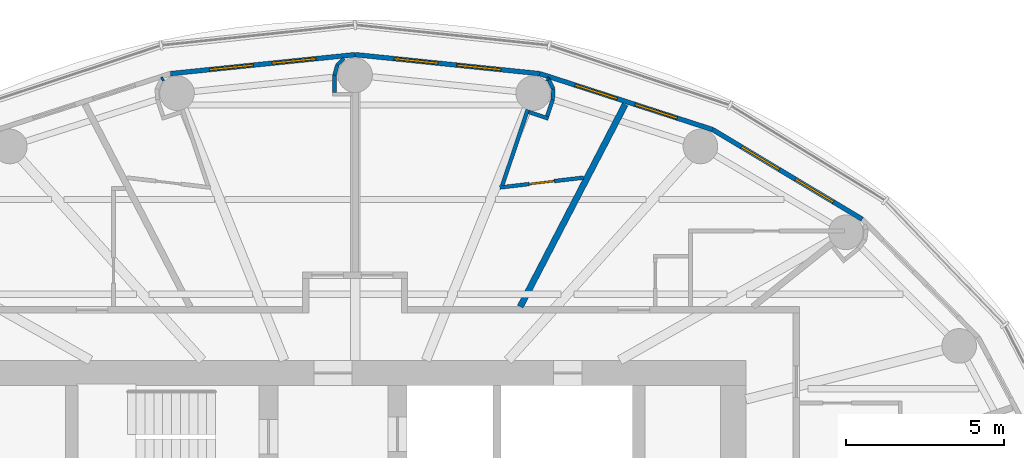
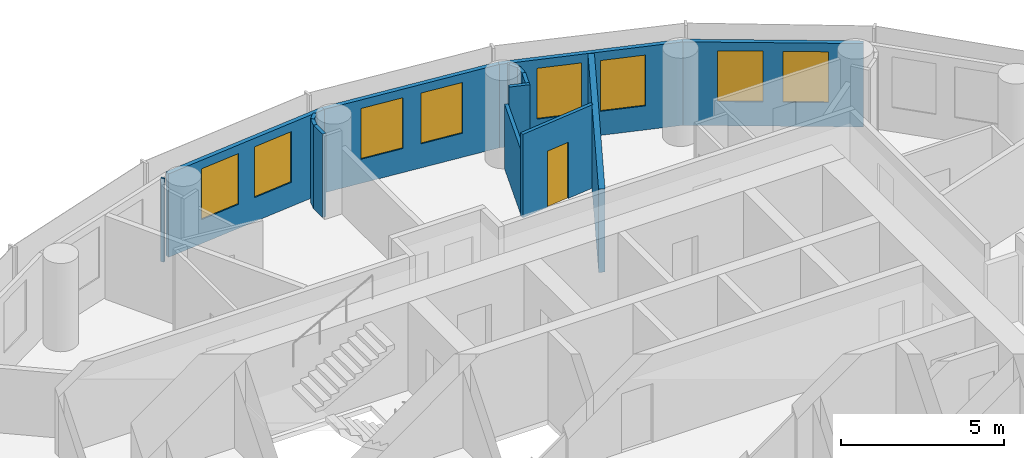
# One storey, part 13 of 16: 16 walls, 8 windows, 1 door, 9 openings.
"""IFC4 building model written with IfcOpenShell, lengths in metres."""

from ifc_helpers import new_model, si_unit, direction, frame, frame_2d, origin, place, context, subcontext, project, spatial, rectangle, extrude, material, layer, layer_set, type_object, element, fill, save


model = new_model("IFC4")

# Units and contexts
model_context = context("Model", 3, precision=1e-05, world=origin(), true_north=direction((0.0, 1.0)))
body_context = subcontext(model_context, "Body", "Model", "MODEL_VIEW")
ifc_project = project(units=[si_unit("LENGTHUNIT", "METRE"), si_unit("AREAUNIT", "SQUARE_METRE"), si_unit("VOLUMEUNIT", "CUBIC_METRE"), si_unit("PLANEANGLEUNIT", "RADIAN"), si_unit("MASSUNIT", "GRAM", prefix="KILO")], contexts=[model_context])

# Site, building, storey
site_placement = place(None, origin())
site = spatial("IfcSite", under=ifc_project, at=site_placement, CompositionType="ELEMENT")
building_placement = place(site_placement, origin())
building = spatial("IfcBuilding", under=site, at=building_placement, Name="Hankou Lantern Tower", CompositionType="ELEMENT")
storey_placement = place(building_placement, frame((0.0, 0.0, 150.0)))
storey = spatial("IfcBuildingStorey", under=building, at=storey_placement, Name="L39", CompositionType="ELEMENT", Elevation=150.0)

# Wall, openings, windows
ifc_material_1 = material(Name="Aluminium spandrel panel on steel studs", Category="steel")
ifc_layer_1 = layer(ifc_material_1, 0.14990234375)
ifc_layer_set_1 = layer_set([ifc_layer_1], Name="Aluminium spandrel panel on steel studs")
wall_type_1 = type_object("IfcWallType", Name="EW1 INNER SKIN WALL 150", PredefinedType="ELEMENTEDWALL", material=ifc_layer_set_1)
wall_1_placement = place(storey_placement, frame((16.0947265625, 12.875732421875, 0.0), z_axis=(0.0, 0.0, 1.0), x_axis=(-0.857695199231, 0.514158482587, 0.0)))
wall_1 = element("IfcWall", 1, at=wall_1_placement, inside=storey, type_object=wall_type_1, Name="Inner skin R04-R05 L39", PredefinedType="ELEMENTEDWALL", context=body_context, shape_type="SweptSolid", body=[
    extrude(rectangle(XDim=5.5361328125, YDim=0.14990234375, at=frame_2d((2.76806640625, 0.0))), origin(), (0.0, 0.0, 1.0), 3.1201171875),
])
opening_1_placement = place(wall_1_placement, frame((1.068115234375, 0.0, 0.89990234375)))
opening_1 = element("IfcOpeningElement", 2, at=opening_1_placement, cuts=wall_1, Name="Opening W3", PredefinedType="OPENING", context=body_context, shape_type="SweptSolid", body=[
    extrude(rectangle(XDim=1.39990234375, YDim=1.89990234375, at=frame_2d((0.699951171875, 0.949951171875))), frame((0.0, 0.0849609375, 0.0), z_axis=(0.0, -1.0, 0.0), x_axis=(1.0, 0.0, 0.0)), (0.0, 0.0, 1.0), 0.169921875),
])
opening_2_placement = place(wall_1_placement, frame((3.068115234375, 0.0, 0.89990234375)))
opening_2 = element("IfcOpeningElement", 3, at=opening_2_placement, cuts=wall_1, Name="Opening W3", PredefinedType="OPENING", context=body_context, shape_type="SweptSolid", body=[
    extrude(rectangle(XDim=1.39990234375, YDim=1.89990234375, at=frame_2d((0.699951171875, 0.949951171875))), frame((0.0, 0.0849609375, 0.0), z_axis=(0.0, -1.0, 0.0), x_axis=(1.0, 0.0, 0.0)), (0.0, 0.0, 1.0), 0.169921875),
])
ifc_material_2 = material(Name="Aluminium framed double glazed window", Category="aluminium")
window_type = type_object("IfcWindowType", Name="W3 GUEST ROOM WINDOW 1400X1900", PartitioningType="DOUBLE_PANEL_VERTICAL", PredefinedType="WINDOW", material=ifc_material_2)
window_1_placement = place(opening_1_placement, origin())
window_1 = element("IfcWindow", 4, at=window_1_placement, inside=storey, type_object=window_type, Name="Window R04.1 L39", OverallHeight=1.89990234375, OverallWidth=1.39990234375, PartitioningType="SINGLE_PANEL", PredefinedType="WINDOW", context=body_context, shape_type="SweptSolid", body=[
    extrude(rectangle(XDim=1.39990234375, YDim=1.89990234375, at=frame_2d((0.699951171875, 0.949951171875))), frame((0.0, 0.030029296875, 0.0), z_axis=(0.0, -1.0, 0.0), x_axis=(1.0, 0.0, 0.0)), (0.0, 0.0, 1.0), 0.06005859375),
])
fill(opening_1, window_1)
window_2_placement = place(opening_2_placement, origin())
window_2 = element("IfcWindow", 5, at=window_2_placement, inside=storey, type_object=window_type, Name="Window R04.2 L39", OverallHeight=1.89990234375, OverallWidth=1.39990234375, PartitioningType="SINGLE_PANEL", PredefinedType="WINDOW", context=body_context, shape_type="SweptSolid", body=[
    extrude(rectangle(XDim=1.39990234375, YDim=1.89990234375, at=frame_2d((0.699951171875, 0.949951171875))), frame((0.0, 0.030029296875, 0.0), z_axis=(0.0, -1.0, 0.0), x_axis=(1.0, 0.0, 0.0)), (0.0, 0.0, 1.0), 0.06005859375),
])
fill(opening_2, window_2)

wall_2_placement = place(storey_placement, frame((11.346435546875, 15.72216796875, 0.0), z_axis=(0.0, 0.0, 1.0), x_axis=(-0.951432482129, 0.307857486429, 0.0)))
wall_2 = element("IfcWall", 6, at=wall_2_placement, inside=storey, type_object=wall_type_1, Name="Inner skin R05-R06 L39", PredefinedType="ELEMENTEDWALL", context=body_context, shape_type="SweptSolid", body=[
    extrude(rectangle(XDim=5.76611328125, YDim=0.14990234375, at=frame_2d((2.883056640625, 0.0))), origin(), (0.0, 0.0, 1.0), 3.1201171875),
])
opening_3_placement = place(wall_2_placement, frame((1.18310546875, 0.0, 0.89990234375)))
opening_3 = element("IfcOpeningElement", 7, at=opening_3_placement, cuts=wall_2, Name="Opening W3", PredefinedType="OPENING", context=body_context, shape_type="SweptSolid", body=[
    extrude(rectangle(XDim=1.39990234375, YDim=1.89990234375, at=frame_2d((0.699951171875, 0.949951171875))), frame((0.0, 0.0849609375, 0.0), z_axis=(0.0, -1.0, 0.0), x_axis=(1.0, 0.0, 0.0)), (0.0, 0.0, 1.0), 0.169921875),
])
opening_4_placement = place(wall_2_placement, frame((3.18310546875, 0.0, 0.89990234375)))
opening_4 = element("IfcOpeningElement", 8, at=opening_4_placement, cuts=wall_2, Name="Opening W3", PredefinedType="OPENING", context=body_context, shape_type="SweptSolid", body=[
    extrude(rectangle(XDim=1.39990234375, YDim=1.89990234375, at=frame_2d((0.699951171875, 0.949951171875))), frame((0.0, 0.0849609375, 0.0), z_axis=(0.0, -1.0, 0.0), x_axis=(1.0, 0.0, 0.0)), (0.0, 0.0, 1.0), 0.169921875),
])
window_3_placement = place(opening_3_placement, origin())
window_3 = element("IfcWindow", 9, at=window_3_placement, inside=storey, type_object=window_type, Name="Window R05.1 L39", OverallHeight=1.89990234375, OverallWidth=1.39990234375, PartitioningType="SINGLE_PANEL", PredefinedType="WINDOW", context=body_context, shape_type="SweptSolid", body=[
    extrude(rectangle(XDim=1.39990234375, YDim=1.89990234375, at=frame_2d((0.699951171875, 0.949951171875))), frame((0.0, 0.030029296875, 0.0), z_axis=(0.0, -1.0, 0.0), x_axis=(1.0, 0.0, 0.0)), (0.0, 0.0, 1.0), 0.06005859375),
])
fill(opening_3, window_3)
window_4_placement = place(opening_4_placement, origin())
window_4 = element("IfcWindow", 10, at=window_4_placement, inside=storey, type_object=window_type, Name="Window R05.2 L39", OverallHeight=1.89990234375, OverallWidth=1.39990234375, PartitioningType="SINGLE_PANEL", PredefinedType="WINDOW", context=body_context, shape_type="SweptSolid", body=[
    extrude(rectangle(XDim=1.39990234375, YDim=1.89990234375, at=frame_2d((0.699951171875, 0.949951171875))), frame((0.0, 0.030029296875, 0.0), z_axis=(0.0, -1.0, 0.0), x_axis=(1.0, 0.0, 0.0)), (0.0, 0.0, 1.0), 0.06005859375),
])
fill(opening_4, window_4)

wall_3_placement = place(storey_placement, frame((5.8603515625, 17.497314453125, 0.0), z_axis=(0.0, 0.0, 1.0), x_axis=(-0.994751738032, 0.102318032045, 0.0)))
wall_3 = element("IfcWall", 11, at=wall_3_placement, inside=storey, type_object=wall_type_1, Name="Inner skin R06-R07 L39", PredefinedType="ELEMENTEDWALL", context=body_context, shape_type="SweptSolid", body=[
    extrude(rectangle(XDim=5.891357421875, YDim=0.14990234375, at=frame_2d((2.94580078125, 0.0))), origin(), (0.0, 0.0, 1.0), 3.1201171875),
])
opening_5_placement = place(wall_3_placement, frame((1.24560546875, 0.0, 0.89990234375)))
opening_5 = element("IfcOpeningElement", 12, at=opening_5_placement, cuts=wall_3, Name="Opening W3", PredefinedType="OPENING", context=body_context, shape_type="SweptSolid", body=[
    extrude(rectangle(XDim=1.39990234375, YDim=1.89990234375, at=frame_2d((0.699951171875, 0.949951171875))), frame((0.0, 0.0849609375, 0.0), z_axis=(0.0, -1.0, 0.0), x_axis=(1.0, 0.0, 0.0)), (0.0, 0.0, 1.0), 0.169921875),
])
opening_6_placement = place(wall_3_placement, frame((3.24560546875, 0.0, 0.89990234375)))
opening_6 = element("IfcOpeningElement", 13, at=opening_6_placement, cuts=wall_3, Name="Opening W3", PredefinedType="OPENING", context=body_context, shape_type="SweptSolid", body=[
    extrude(rectangle(XDim=1.39990234375, YDim=1.89990234375, at=frame_2d((0.699951171875, 0.949951171875))), frame((0.0, 0.0849609375, 0.0), z_axis=(0.0, -1.0, 0.0), x_axis=(1.0, 0.0, 0.0)), (0.0, 0.0, 1.0), 0.169921875),
])
window_5_placement = place(opening_5_placement, origin())
window_5 = element("IfcWindow", 14, at=window_5_placement, inside=storey, type_object=window_type, Name="Window R06.1 L39", OverallHeight=1.89990234375, OverallWidth=1.39990234375, PartitioningType="SINGLE_PANEL", PredefinedType="WINDOW", context=body_context, shape_type="SweptSolid", body=[
    extrude(rectangle(XDim=1.39990234375, YDim=1.89990234375, at=frame_2d((0.699951171875, 0.949951171875))), frame((0.0, 0.030029296875, 0.0), z_axis=(0.0, -1.0, 0.0), x_axis=(1.0, 0.0, 0.0)), (0.0, 0.0, 1.0), 0.06005859375),
])
fill(opening_5, window_5)
window_6_placement = place(opening_6_placement, origin())
window_6 = element("IfcWindow", 15, at=window_6_placement, inside=storey, type_object=window_type, Name="Window R06.2 L39", OverallHeight=1.89990234375, OverallWidth=1.39990234375, PartitioningType="SINGLE_PANEL", PredefinedType="WINDOW", context=body_context, shape_type="SweptSolid", body=[
    extrude(rectangle(XDim=1.39990234375, YDim=1.89990234375, at=frame_2d((0.699951171875, 0.949951171875))), frame((0.0, 0.030029296875, 0.0), z_axis=(0.0, -1.0, 0.0), x_axis=(1.0, 0.0, 0.0)), (0.0, 0.0, 1.0), 0.06005859375),
])
fill(opening_6, window_6)

wall_4_placement = place(storey_placement, frame((0.0, 18.10009765625, 0.0), z_axis=(0.0, 0.0, 1.0), x_axis=(-0.994751738032, -0.102318032045, 0.0)))
wall_4 = element("IfcWall", 16, at=wall_4_placement, inside=storey, type_object=wall_type_1, Name="Inner skin R07-R08 L39", PredefinedType="ELEMENTEDWALL", context=body_context, shape_type="SweptSolid", body=[
    extrude(rectangle(XDim=5.891357421875, YDim=0.14990234375, at=frame_2d((2.94580078125, 0.0))), origin(), (0.0, 0.0, 1.0), 3.1201171875),
])
opening_7_placement = place(wall_4_placement, frame((1.24560546875, 0.0, 0.89990234375)))
opening_7 = element("IfcOpeningElement", 17, at=opening_7_placement, cuts=wall_4, Name="Opening W3", PredefinedType="OPENING", context=body_context, shape_type="SweptSolid", body=[
    extrude(rectangle(XDim=1.39990234375, YDim=1.89990234375, at=frame_2d((0.699951171875, 0.949951171875))), frame((0.0, 0.0849609375, 0.0), z_axis=(0.0, -1.0, 0.0), x_axis=(1.0, 0.0, 0.0)), (0.0, 0.0, 1.0), 0.169921875),
])
opening_8_placement = place(wall_4_placement, frame((3.24560546875, 0.0, 0.89990234375)))
opening_8 = element("IfcOpeningElement", 18, at=opening_8_placement, cuts=wall_4, Name="Opening W3", PredefinedType="OPENING", context=body_context, shape_type="SweptSolid", body=[
    extrude(rectangle(XDim=1.39990234375, YDim=1.89990234375, at=frame_2d((0.699951171875, 0.949951171875))), frame((0.0, 0.0849609375, 0.0), z_axis=(0.0, -1.0, 0.0), x_axis=(1.0, 0.0, 0.0)), (0.0, 0.0, 1.0), 0.169921875),
])
window_7_placement = place(opening_7_placement, origin())
window_7 = element("IfcWindow", 19, at=window_7_placement, inside=storey, type_object=window_type, Name="Window R07.1 L39", OverallHeight=1.89990234375, OverallWidth=1.39990234375, PartitioningType="SINGLE_PANEL", PredefinedType="WINDOW", context=body_context, shape_type="SweptSolid", body=[
    extrude(rectangle(XDim=1.39990234375, YDim=1.89990234375, at=frame_2d((0.699951171875, 0.949951171875))), frame((0.0, 0.030029296875, 0.0), z_axis=(0.0, -1.0, 0.0), x_axis=(1.0, 0.0, 0.0)), (0.0, 0.0, 1.0), 0.06005859375),
])
fill(opening_7, window_7)
window_8_placement = place(opening_8_placement, origin())
window_8 = element("IfcWindow", 20, at=window_8_placement, inside=storey, type_object=window_type, Name="Window R07.2 L39", OverallHeight=1.89990234375, OverallWidth=1.39990234375, PartitioningType="SINGLE_PANEL", PredefinedType="WINDOW", context=body_context, shape_type="SweptSolid", body=[
    extrude(rectangle(XDim=1.39990234375, YDim=1.89990234375, at=frame_2d((0.699951171875, 0.949951171875))), frame((0.0, 0.030029296875, 0.0), z_axis=(0.0, -1.0, 0.0), x_axis=(1.0, 0.0, 0.0)), (0.0, 0.0, 1.0), 0.06005859375),
])
fill(opening_8, window_8)

# Wall
ifc_material_3 = material(Name="Masonry lightweight concrete block", Category="masonry")
ifc_layer_2 = layer(ifc_material_3, 0.199951171875)
ifc_layer_set_2 = layer_set([ifc_layer_2], Name="Masonry lightweight concrete block")
wall_type_2 = type_object("IfcWallType", Name="IW1 GUEST ROOM PARTY WALL 200", PredefinedType="PARTITIONING", material=ifc_layer_set_2)
wall_5_placement = place(storey_placement, frame((5.239990234375, 10.10009765625, 0.0), z_axis=(0.0, 0.0, 1.0), x_axis=(0.460532965373, 0.887642601391, 0.0)))
element("IfcWall", 21, at=wall_5_placement, inside=storey, type_object=wall_type_2, Name="Party wall R05-R06", PredefinedType="PARTITIONING", context=body_context, shape_type="SweptSolid", body=[
    extrude(rectangle(XDim=7.2314453125, YDim=0.199951171875, at=frame_2d((3.61572265625, 0.0))), origin(), (0.0, 0.0, 1.0), 3.1201171875),
])

# Wall, opening, door
ifc_material_4 = material(Name="Masonry lightweight concrete block", Category="masonry")
ifc_layer_3 = layer(ifc_material_4, 0.1201171875)
ifc_layer_set_3 = layer_set([ifc_layer_3], Name="Masonry lightweight concrete block")
wall_type_3 = type_object("IfcWallType", Name="IW3 BATHROOM WALL 120", PredefinedType="PARTITIONING", material=ifc_layer_set_3)
wall_6_placement = place(storey_placement, frame((7.2529296875, 14.197021484375, 0.0), z_axis=(0.0, 0.0, 1.0), x_axis=(-0.993128188393, -0.117031625725, 0.0)))
wall_6 = element("IfcWall", 22, at=wall_6_placement, inside=storey, type_object=wall_type_3, Name="Box wall 3903 1", PredefinedType="PARTITIONING", context=body_context, shape_type="SweptSolid", body=[
    extrude(rectangle(XDim=2.678466796875, YDim=0.1201171875, at=frame_2d((1.33935546875, 0.0))), origin(), (0.0, 0.0, 1.0), 3.1201171875),
])
opening_9_placement = place(wall_6_placement, frame((0.939208984375, 0.0, 0.0)))
opening_9 = element("IfcOpeningElement", 23, at=opening_9_placement, cuts=wall_6, Name="Opening D3", PredefinedType="OPENING", context=body_context, shape_type="SweptSolid", body=[
    extrude(rectangle(XDim=0.800048828125, YDim=2.10009765625, at=frame_2d((0.39990234375, 1.050048828125))), frame((0.0, 0.070068359375, 0.0), z_axis=(0.0, -1.0, 0.0), x_axis=(1.0, 0.0, 0.0)), (0.0, 0.0, 1.0), 0.14013671875),
])
ifc_material_5 = material(Name="Timber door leaf", Category="wood")
door_type = type_object("IfcDoorType", Name="D3 BATHROOM DOOR 800X2100", OperationType="SINGLE_SWING_LEFT", PredefinedType="DOOR", material=ifc_material_5)
door_placement = place(opening_9_placement, origin())
door = element("IfcDoor", 24, at=door_placement, inside=storey, type_object=door_type, Name="En-suite bathroom 3903 door", OperationType="SINGLE_SWING_LEFT", OverallHeight=2.10009765625, OverallWidth=0.800048828125, PredefinedType="DOOR", context=body_context, shape_type="SweptSolid", body=[
    extrude(rectangle(XDim=0.800048828125, YDim=2.10009765625, at=frame_2d((0.39990234375, 1.050048828125))), frame((0.0, 0.02490234375, 0.0), z_axis=(0.0, -1.0, 0.0), x_axis=(1.0, 0.0, 0.0)), (0.0, 0.0, 1.0), 0.050048828125),
])
fill(opening_9, door)

# Walls
wall_7_placement = place(storey_placement, frame((4.67138671875, 13.947509765625, 0.0), z_axis=(0.0, 0.0, 1.0), x_axis=(0.317669167093, 0.948201613729, 0.0)))
element("IfcWall", 25, at=wall_7_placement, inside=storey, type_object=wall_type_3, Name="Box wall 3903 2", PredefinedType="PARTITIONING", context=body_context, shape_type="SweptSolid", body=[
    extrude(rectangle(XDim=2.5400390625, YDim=0.1201171875, at=frame_2d((1.27001953125, 0.0))), origin(), (0.0, 0.0, 1.0), 2.419921875),
])
wall_8_placement = place(storey_placement, frame((5.51611328125, 16.280029296875, 0.0), z_axis=(0.0, 0.0, 1.0), x_axis=(0.948157944392, -0.317799484717, 0.0)))
element("IfcWall", 26, at=wall_8_placement, inside=storey, type_object=wall_type_3, Name="Column casing 3903 return", PredefinedType="PARTITIONING", context=body_context, shape_type="SweptSolid", body=[
    extrude(rectangle(XDim=0.652099609375, YDim=0.1201171875, at=frame_2d((0.326171875, 0.0))), origin(), (0.0, 0.0, 1.0), 3.1201171875),
])
wall_9_placement = place(storey_placement, frame((6.0966796875, 16.148681640625, 0.0), z_axis=(0.0, 0.0, 1.0), x_axis=(0.317292604854, 0.948327687514, 0.0)))
element("IfcWall", 27, at=wall_9_placement, inside=storey, type_object=wall_type_3, Name="Column casing 3903", PredefinedType="PARTITIONING", context=body_context, shape_type="SweptSolid", body=[
    extrude(rectangle(XDim=0.550048828125, YDim=0.1201171875, at=frame_2d((0.27490234375, 0.0))), origin(), (0.0, 0.0, 1.0), 3.1201171875),
])
for number, where, z_axis, x_axis, name in (
    (28, (6.271240234375, 16.67041015625, 0.0), (0.0, 0.0, 1.0), (0.061477694849, 0.998108457552, 0.0), "Column casing 3903"),
    (29, (6.2919921875, 17.00732421875, 0.0), (0.0, 0.0, 1.0), (-0.445477128334, 0.895293319606, 0.0), "Column casing 3903"),
):
    element("IfcWall", number, at=place(storey_placement, frame(where, z_axis=z_axis, x_axis=x_axis)), inside=storey, type_object=wall_type_3, Name=name, PredefinedType="PARTITIONING", context=body_context, shape_type="SweptSolid", body=[
        extrude(rectangle(XDim=0.337646484375, YDim=0.1201171875, at=frame_2d((0.1689453125, 0.0))), origin(), (0.0, 0.0, 1.0), 3.1201171875),
    ])
for number, where, z_axis, x_axis, name in (
    (30, (6.1416015625, 17.3095703125, 0.0), (0.0, 0.0, 1.0), (-0.835039693181, 0.550189704386, 0.0), "Column casing 3903"),
    (31, (-6.1416015625, 17.3095703125, 0.0), (0.0, 0.0, 1.0), (0.835039693181, 0.550189704386, 0.0), "Column casing 3904"),
):
    element("IfcWall", number, at=place(storey_placement, frame(where, z_axis=z_axis, x_axis=x_axis)), inside=storey, type_object=wall_type_3, Name=name, PredefinedType="PARTITIONING", context=body_context, shape_type="SweptSolid", body=[
        extrude(rectangle(XDim=0.0625, YDim=0.1201171875, at=frame_2d((0.03125, 0.0))), origin(), (0.0, 0.0, 1.0), 3.1201171875),
    ])
ifc_material_6 = material(Name="Masonry lightweight concrete block", Category="masonry")
ifc_layer_4 = layer(ifc_material_6, 0.1201171875)
ifc_layer_set_4 = layer_set([ifc_layer_4], Name="Masonry lightweight concrete block")
wall_type_4 = type_object("IfcWallType", Name="IW4 PARTITION 120", PredefinedType="PARTITIONING", material=ifc_layer_set_4)
wall_10_placement = place(storey_placement, frame((-0.65234375, 16.89990234375, 0.0), z_axis=(0.0, 0.0, 1.0), x_axis=(0.0, 1.0, 0.0)))
element("IfcWall", 32, at=wall_10_placement, inside=storey, type_object=wall_type_4, Name="Column casing R07", PredefinedType="PARTITIONING", context=body_context, shape_type="SweptSolid", body=[
    extrude(rectangle(XDim=0.550048828125, YDim=0.1201171875, at=frame_2d((0.27490234375, 0.0))), origin(), (0.0, 0.0, 1.0), 3.1201171875),
])
wall_11_placement = place(storey_placement, frame((-0.65234375, 17.449951171875, 0.0), z_axis=(0.0, 0.0, 1.0), x_axis=(0.258832454679, 0.965922233104, 0.0)))
element("IfcWall", 33, at=wall_11_placement, inside=storey, type_object=wall_type_4, Name="Column casing R07", PredefinedType="PARTITIONING", context=body_context, shape_type="SweptSolid", body=[
    extrude(rectangle(XDim=0.337646484375, YDim=0.1201171875, at=frame_2d((0.1689453125, 0.0))), origin(), (0.0, 0.0, 1.0), 3.1201171875),
])
wall_12_placement = place(storey_placement, frame((-0.56494140625, 17.776123046875, 0.0), z_axis=(0.0, 0.0, 1.0), x_axis=(0.707106781187, 0.707106781187, 0.0)))
element("IfcWall", 34, at=wall_12_placement, inside=storey, type_object=wall_type_4, Name="Column casing R07", PredefinedType="PARTITIONING", context=body_context, shape_type="SweptSolid", body=[
    extrude(rectangle(XDim=0.30078125, YDim=0.1201171875, at=frame_2d((0.150390625, 0.0))), origin(), (0.0, 0.0, 1.0), 3.1201171875),
])

save(model, "model.ifc")
